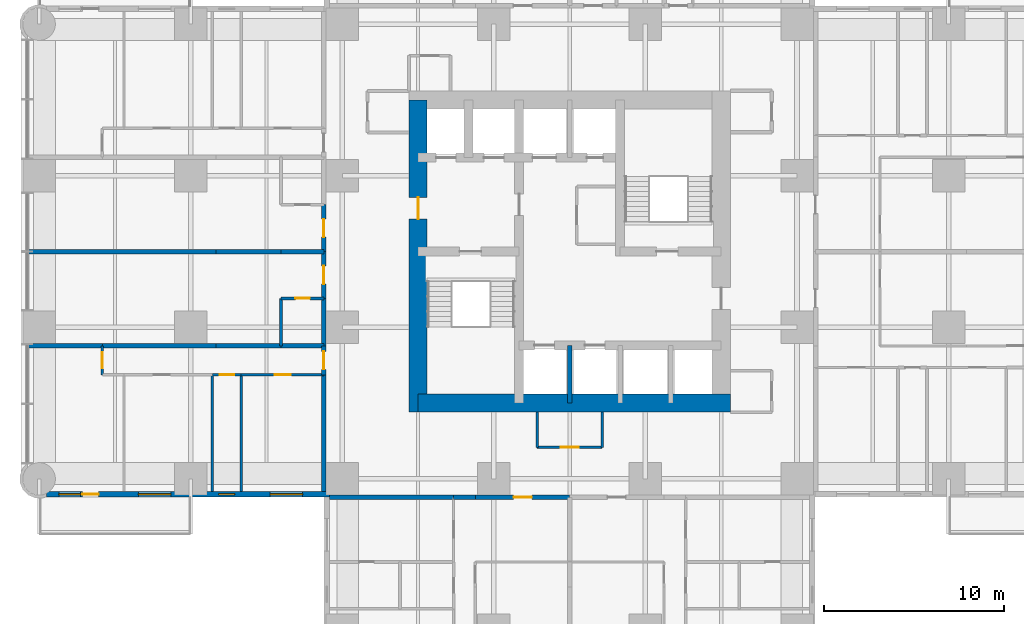
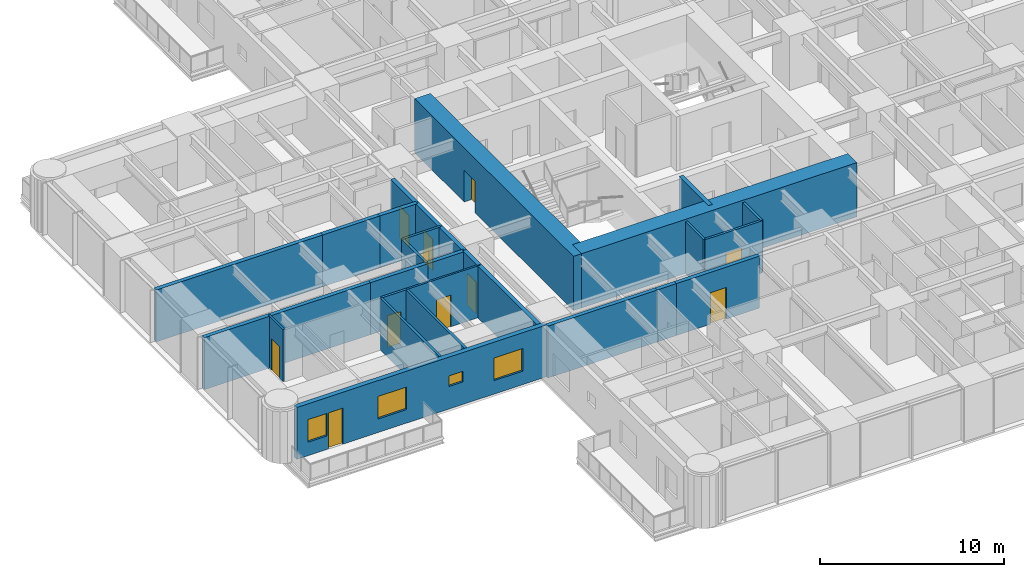
# One storey, part 8 of 17: 29 walls, 11 doors, 4 windows, 15 openings.
"""IFC4 building model written with IfcOpenShell, lengths in metres."""

from ifc_helpers import new_model, si_unit, direction, frame, frame_2d, origin, place, context, subcontext, project, spatial, rectangle, extrude, material, layer, layer_set, type_object, element, fill, save


model = new_model("IFC4")

# Units and contexts
model_context = context("Model", 3, precision=1e-05, world=origin(), true_north=direction((0.0, 1.0)))
body_context = subcontext(model_context, "Body", "Model", "MODEL_VIEW")
ifc_project = project(units=[si_unit("LENGTHUNIT", "METRE"), si_unit("AREAUNIT", "SQUARE_METRE"), si_unit("VOLUMEUNIT", "CUBIC_METRE"), si_unit("PLANEANGLEUNIT", "RADIAN"), si_unit("MASSUNIT", "GRAM", prefix="KILO")], contexts=[model_context])

# Site, building, storey
site_placement = place(None, origin())
site = spatial("IfcSite", under=ifc_project, at=site_placement, CompositionType="ELEMENT")
building_placement = place(site_placement, origin())
building = spatial("IfcBuilding", under=site, at=building_placement, Name="Torre Alcanfor", CompositionType="ELEMENT")
storey_placement = place(building_placement, frame((0.0, 0.0, 70.5)))
storey = spatial("IfcBuildingStorey", under=building, at=storey_placement, Name="L17", CompositionType="ELEMENT", Elevation=70.5)

# Wall, opening, door
ifc_material_1 = material(Name="Concrete block masonry, hollow blocks NMX-C-404 9 MPa", Category="masonry")
ifc_layer_1 = layer(ifc_material_1, 0.25)
ifc_layer_set_1 = layer_set([ifc_layer_1], Name="Apartment entrance wall 250 EI 60")
wall_type_1 = type_object("IfcWallType", Name="Apartment entrance wall 250 EI 60", PredefinedType="PARTITIONING", material=ifc_layer_set_1)
wall_1_placement = place(storey_placement, frame((29.39990234375, 15.77490234375, 0.0), z_axis=(0.0, 0.0, 1.0), x_axis=(-1.0, 0.0, 0.0)))
wall_1 = element("IfcWall", 1, at=wall_1_placement, inside=storey, type_object=wall_type_1, Name="Partition L17-CORR / L17-S2-ZAG", PredefinedType="PARTITIONING", context=body_context, shape_type="SweptSolid", body=[
    extrude(rectangle(XDim=5.22900390625, YDim=0.25, at=frame_2d((2.614501953125, 0.0))), origin(), (0.0, 0.0, 1.0), 3.449951171875),
])
opening_1_placement = place(wall_1_placement, frame((2.10009765625, 0.0, 0.0)))
opening_1 = element("IfcOpeningElement", 2, at=opening_1_placement, cuts=wall_1, Name="Opening D-A1", PredefinedType="OPENING", context=body_context, shape_type="SweptSolid", body=[
    extrude(rectangle(XDim=1.0, YDim=2.10009765625, at=frame_2d((0.5, 1.050048828125))), frame((0.0, 0.135009765625, 0.0), z_axis=(0.0, -1.0, 0.0), x_axis=(1.0, 0.0, 0.0)), (0.0, 0.0, 1.0), 0.27001953125),
])
ifc_material_2 = material(Name="Galvanised steel sheet ASTM A653", Category="steel")
door_type_1 = type_object("IfcDoorType", Name="Apartment entrance door FD60 1000x2100", OperationType="SINGLE_SWING_LEFT", PredefinedType="DOOR", material=ifc_material_2)
door_1_placement = place(opening_1_placement, origin())
door_1 = element("IfcDoor", 3, at=door_1_placement, inside=storey, type_object=door_type_1, Name="Apartment entrance L17-S2", OperationType="SINGLE_SWING_LEFT", OverallHeight=2.10009765625, OverallWidth=1.0, PredefinedType="DOOR", context=body_context, shape_type="SweptSolid", body=[
    extrude(rectangle(XDim=1.0, YDim=2.10009765625, at=frame_2d((0.5, 1.050048828125))), frame((0.0, 0.02490234375, 0.0), z_axis=(0.0, -1.0, 0.0), x_axis=(1.0, 0.0, 0.0)), (0.0, 0.0, 1.0), 0.050048828125),
])
fill(opening_1, door_1)

# Walls
wall_2_placement = place(storey_placement, frame((24.1708984375, 15.77490234375, 0.0), z_axis=(0.0, 0.0, 1.0), x_axis=(-1.0, 0.0, 0.0)))
element("IfcWall", 4, at=wall_2_placement, inside=storey, type_object=wall_type_1, Name="Partition L17-CORR / L17-S2-HALL", PredefinedType="PARTITIONING", context=body_context, shape_type="SweptSolid", body=[
    extrude(rectangle(XDim=1.199951171875, YDim=0.25, at=frame_2d((0.60009765625, 0.0))), origin(), (0.0, 0.0, 1.0), 3.449951171875),
])
wall_3_placement = place(storey_placement, frame((22.970947265625, 15.77490234375, 0.0), z_axis=(0.0, 0.0, 1.0), x_axis=(-1.0, 0.0, 0.0)))
element("IfcWall", 5, at=wall_3_placement, inside=storey, type_object=wall_type_1, Name="Partition L17-CORR / L17-S2-SERV", PredefinedType="PARTITIONING", context=body_context, shape_type="SweptSolid", body=[
    extrude(rectangle(XDim=6.870849609375, YDim=0.25, at=frame_2d((3.435546875, 0.0))), origin(), (0.0, 0.0, 1.0), 3.449951171875),
])

# Wall, opening, door
wall_4_placement = place(storey_placement, frame((15.77490234375, 26.800048828125, 0.0), z_axis=(0.0, 0.0, 1.0), x_axis=(0.0, 1.0, 0.0)))
wall_4 = element("IfcWall", 6, at=wall_4_placement, inside=storey, type_object=wall_type_1, Name="Partition L17-CORR / L17-W1A-FOYER", PredefinedType="PARTITIONING", context=body_context, shape_type="SweptSolid", body=[
    extrude(rectangle(XDim=2.599853515625, YDim=0.25, at=frame_2d((1.2998046875, 0.0))), origin(), (0.0, 0.0, 1.0), 3.449951171875),
])
opening_2_placement = place(wall_4_placement, frame((0.800048828125, 0.0, 0.0)))
opening_2 = element("IfcOpeningElement", 7, at=opening_2_placement, cuts=wall_4, Name="Opening D-A1", PredefinedType="OPENING", context=body_context, shape_type="SweptSolid", body=[
    extrude(rectangle(XDim=1.0, YDim=2.10009765625, at=frame_2d((0.5, 1.050048828125))), frame((0.0, 0.135009765625, 0.0), z_axis=(0.0, -1.0, 0.0), x_axis=(1.0, 0.0, 0.0)), (0.0, 0.0, 1.0), 0.27001953125),
])
door_2_placement = place(opening_2_placement, origin())
door_2 = element("IfcDoor", 8, at=door_2_placement, inside=storey, type_object=door_type_1, Name="Apartment entrance L17-W1A", OperationType="SINGLE_SWING_LEFT", OverallHeight=2.10009765625, OverallWidth=1.0, PredefinedType="DOOR", context=body_context, shape_type="SweptSolid", body=[
    extrude(rectangle(XDim=1.0, YDim=2.10009765625, at=frame_2d((0.5, 1.050048828125))), frame((0.0, 0.02490234375, 0.0), z_axis=(0.0, -1.0, 0.0), x_axis=(1.0, 0.0, 0.0)), (0.0, 0.0, 1.0), 0.050048828125),
])
fill(opening_2, door_2)

# Wall
wall_5_placement = place(storey_placement, frame((15.77490234375, 24.1708984375, 0.0), z_axis=(0.0, 0.0, 1.0), x_axis=(0.0, 1.0, 0.0)))
element("IfcWall", 9, at=wall_5_placement, inside=storey, type_object=wall_type_1, Name="Partition L17-CORR / L17-W1A-BATH", PredefinedType="PARTITIONING", context=body_context, shape_type="SweptSolid", body=[
    extrude(rectangle(XDim=2.629150390625, YDim=0.25, at=frame_2d((1.314453125, 0.0))), origin(), (0.0, 0.0, 1.0), 3.449951171875),
])

# Wall, opening, door
wall_6_placement = place(storey_placement, frame((15.77490234375, 22.571044921875, 0.0), z_axis=(0.0, 0.0, 1.0), x_axis=(0.0, 1.0, 0.0)))
wall_6 = element("IfcWall", 10, at=wall_6_placement, inside=storey, type_object=wall_type_1, Name="Partition L17-CORR / L17-W1B-HALL", PredefinedType="PARTITIONING", context=body_context, shape_type="SweptSolid", body=[
    extrude(rectangle(XDim=1.599853515625, YDim=0.25, at=frame_2d((0.7998046875, 0.0))), origin(), (0.0, 0.0, 1.0), 3.449951171875),
])
opening_3_placement = place(wall_6_placement, frame((0.300048828125, 0.0, 0.0)))
opening_3 = element("IfcOpeningElement", 11, at=opening_3_placement, cuts=wall_6, Name="Opening D-A1", PredefinedType="OPENING", context=body_context, shape_type="SweptSolid", body=[
    extrude(rectangle(XDim=1.0, YDim=2.10009765625, at=frame_2d((0.5, 1.050048828125))), frame((0.0, 0.135009765625, 0.0), z_axis=(0.0, -1.0, 0.0), x_axis=(1.0, 0.0, 0.0)), (0.0, 0.0, 1.0), 0.27001953125),
])
door_3_placement = place(opening_3_placement, origin())
door_3 = element("IfcDoor", 12, at=door_3_placement, inside=storey, type_object=door_type_1, Name="Apartment entrance L17-W1B", OperationType="SINGLE_SWING_LEFT", OverallHeight=2.10009765625, OverallWidth=1.0, PredefinedType="DOOR", context=body_context, shape_type="SweptSolid", body=[
    extrude(rectangle(XDim=1.0, YDim=2.10009765625, at=frame_2d((0.5, 1.050048828125))), frame((0.0, 0.02490234375, 0.0), z_axis=(0.0, -1.0, 0.0), x_axis=(1.0, 0.0, 0.0)), (0.0, 0.0, 1.0), 0.050048828125),
])
fill(opening_3, door_3)

# Wall
wall_7_placement = place(storey_placement, frame((15.77490234375, 16.10009765625, 0.0), z_axis=(0.0, 0.0, 1.0), x_axis=(0.0, 1.0, 0.0)))
element("IfcWall", 13, at=wall_7_placement, inside=storey, type_object=wall_type_1, Name="Partition L17-CORR / L17-W1B-BED2", PredefinedType="PARTITIONING", context=body_context, shape_type="SweptSolid", body=[
    extrude(rectangle(XDim=6.470947265625, YDim=0.25, at=frame_2d((3.2353515625, 0.0))), origin(), (0.0, 0.0, 1.0), 3.449951171875),
])

# Wall, opening, door
wall_8_placement = place(storey_placement, frame((15.77490234375, 29.39990234375, 0.0), z_axis=(0.0, 0.0, 1.0), x_axis=(0.0, 1.0, 0.0)))
wall_8 = element("IfcWall", 14, at=wall_8_placement, inside=storey, type_object=wall_type_1, Name="Partition L17-CORR / L17-W2A-FOYER", PredefinedType="PARTITIONING", context=body_context, shape_type="SweptSolid", body=[
    extrude(rectangle(XDim=2.60009765625, YDim=0.25, at=frame_2d((1.300048828125, 0.0))), origin(), (0.0, 0.0, 1.0), 3.449951171875),
])
opening_4_placement = place(wall_8_placement, frame((0.800048828125, 0.0, 0.0)))
opening_4 = element("IfcOpeningElement", 15, at=opening_4_placement, cuts=wall_8, Name="Opening D-A1", PredefinedType="OPENING", context=body_context, shape_type="SweptSolid", body=[
    extrude(rectangle(XDim=1.0, YDim=2.10009765625, at=frame_2d((0.5, 1.050048828125))), frame((0.0, 0.135009765625, 0.0), z_axis=(0.0, -1.0, 0.0), x_axis=(1.0, 0.0, 0.0)), (0.0, 0.0, 1.0), 0.27001953125),
])
door_4_placement = place(opening_4_placement, origin())
door_4 = element("IfcDoor", 16, at=door_4_placement, inside=storey, type_object=door_type_1, Name="Apartment entrance L17-W2A", OperationType="SINGLE_SWING_LEFT", OverallHeight=2.10009765625, OverallWidth=1.0, PredefinedType="DOOR", context=body_context, shape_type="SweptSolid", body=[
    extrude(rectangle(XDim=1.0, YDim=2.10009765625, at=frame_2d((0.5, 1.050048828125))), frame((0.0, 0.02490234375, 0.0), z_axis=(0.0, -1.0, 0.0), x_axis=(1.0, 0.0, 0.0)), (0.0, 0.0, 1.0), 0.050048828125),
])
fill(opening_4, door_4)

ifc_material_3 = material(Name="Gypsum board on steel studs", Category="steel")
ifc_layer_2 = layer(ifc_material_3, 0.1201171875)
ifc_layer_set_2 = layer_set([ifc_layer_2], Name="Apartment partition 120")
wall_type_2 = type_object("IfcWallType", Name="Apartment partition 120", PredefinedType="PARTITIONING", material=ifc_layer_set_2)
wall_9_placement = place(storey_placement, frame((11.199951171875, 22.571044921875, 0.0), z_axis=(0.0, 0.0, 1.0), x_axis=(1.0, 0.0, 0.0)))
wall_9 = element("IfcWall", 17, at=wall_9_placement, inside=storey, type_object=wall_type_2, Name="Partition L17-W1B-HALL / L17-W1B-BED2", PredefinedType="PARTITIONING", context=body_context, shape_type="SweptSolid", body=[
    extrude(rectangle(XDim=4.574951171875, YDim=0.1201171875, at=frame_2d((2.28759765625, 0.0))), origin(), (0.0, 0.0, 1.0), 3.449951171875),
])
opening_5_placement = place(wall_9_placement, frame((1.85009765625, 0.0, 0.0)))
opening_5 = element("IfcOpeningElement", 18, at=opening_5_placement, cuts=wall_9, Name="Opening D-R1", PredefinedType="OPENING", context=body_context, shape_type="SweptSolid", body=[
    extrude(rectangle(XDim=0.89990234375, YDim=2.10009765625, at=frame_2d((0.449951171875, 1.050048828125))), frame((0.0, 0.070068359375, 0.0), z_axis=(0.0, -1.0, 0.0), x_axis=(1.0, 0.0, 0.0)), (0.0, 0.0, 1.0), 0.14013671875),
])
ifc_material_4 = material(Name="Timber", Category="wood")
door_type_2 = type_object("IfcDoorType", Name="Internal door 900x2100", OperationType="SINGLE_SWING_LEFT", PredefinedType="DOOR", material=ifc_material_4)
door_5_placement = place(opening_5_placement, frame((0.89990234375, 0.0, 0.0), z_axis=(0.0, 0.0, 1.0), x_axis=(-1.0, 0.0, 0.0)))
door_5 = element("IfcDoor", 19, at=door_5_placement, inside=storey, type_object=door_type_2, Name="Door L17-W1B bed2", OperationType="SINGLE_SWING_LEFT", OverallHeight=2.10009765625, OverallWidth=0.89990234375, PredefinedType="DOOR", context=body_context, shape_type="SweptSolid", body=[
    extrude(rectangle(XDim=0.89990234375, YDim=2.10009765625, at=frame_2d((0.449951171875, 1.050048828125))), frame((0.0, 0.025146484375, 0.0), z_axis=(0.0, -1.0, 0.0), x_axis=(1.0, 0.0, 0.0)), (0.0, 0.0, 1.0), 0.050048828125),
])
fill(opening_5, door_5)

wall_10_placement = place(storey_placement, frame((3.5, 24.1708984375, 0.0), z_axis=(0.0, 0.0, 1.0), x_axis=(0.0, -1.0, 0.0)))
wall_10 = element("IfcWall", 20, at=wall_10_placement, inside=storey, type_object=wall_type_2, Name="Partition L17-W1B-HALL / L17-W1B-LIVING", PredefinedType="PARTITIONING", context=body_context, shape_type="SweptSolid", body=[
    extrude(rectangle(XDim=1.599853515625, YDim=0.1201171875, at=frame_2d((0.7998046875, 0.0))), origin(), (0.0, 0.0, 1.0), 3.449951171875),
])
opening_6_placement = place(wall_10_placement, frame((0.35009765625, 0.0, 0.0)))
opening_6 = element("IfcOpeningElement", 21, at=opening_6_placement, cuts=wall_10, Name="Opening D-R1", PredefinedType="OPENING", context=body_context, shape_type="SweptSolid", body=[
    extrude(rectangle(XDim=0.89990234375, YDim=2.10009765625, at=frame_2d((0.449951171875, 1.050048828125))), frame((0.0, 0.070068359375, 0.0), z_axis=(0.0, -1.0, 0.0), x_axis=(1.0, 0.0, 0.0)), (0.0, 0.0, 1.0), 0.14013671875),
])
door_6_placement = place(opening_6_placement, frame((0.89990234375, 0.0, 0.0), z_axis=(0.0, 0.0, 1.0), x_axis=(-1.0, 0.0, 0.0)))
door_6 = element("IfcDoor", 22, at=door_6_placement, inside=storey, type_object=door_type_2, Name="Door L17-W1B living", OperationType="SINGLE_SWING_RIGHT", OverallHeight=2.10009765625, OverallWidth=0.89990234375, PredefinedType="DOOR", context=body_context, shape_type="SweptSolid", body=[
    extrude(rectangle(XDim=0.89990234375, YDim=2.10009765625, at=frame_2d((0.449951171875, 1.050048828125))), frame((0.0, 0.025146484375, 0.0), z_axis=(0.0, -1.0, 0.0), x_axis=(1.0, 0.0, 0.0)), (0.0, 0.0, 1.0), 0.050048828125),
])
fill(opening_6, door_6)

# Walls
ifc_material_5 = material(Name="Concrete f'c 70 MPa", Category="concrete")
ifc_layer_3 = layer(ifc_material_5, 0.25)
ifc_layer_set_3 = layer_set([ifc_layer_3], Name="Core shaft wall 250 f'c70")
wall_type_3 = type_object("IfcWallType", Name="Core shaft wall 250 f'c70", PredefinedType="SHEAR", material=ifc_layer_set_3)
wall_11_placement = place(storey_placement, frame((29.39990234375, 21.0, 0.0), z_axis=(0.0, 0.0, 1.0), x_axis=(0.0, 1.0, 0.0)))
element("IfcWall", 23, at=wall_11_placement, inside=storey, type_object=wall_type_3, Name="Core wall X294S L17", PredefinedType="SHEAR", context=body_context, shape_type="SweptSolid", body=[
    extrude(rectangle(XDim=3.199951171875, YDim=0.25, at=frame_2d((1.60009765625, 0.0))), origin(), (0.0, 0.0, 1.0), 3.60009765625),
])
ifc_material_6 = material(Name="Concrete f'c 70 MPa", Category="concrete")
ifc_layer_4 = layer(ifc_material_6, 1.0)
ifc_layer_set_4 = layer_set([ifc_layer_4], Name="Core wall 1000 f'c70")
wall_type_4 = type_object("IfcWallType", Name="Core wall 1000 f'c70", PredefinedType="SHEAR", material=ifc_layer_set_4)
wall_12_placement = place(storey_placement, frame((21.0, 21.0, 0.0), z_axis=(0.0, 0.0, 1.0), x_axis=(1.0, 0.0, 0.0)))
element("IfcWall", 24, at=wall_12_placement, inside=storey, type_object=wall_type_4, Name="Core wall OUT-S L17", PredefinedType="SHEAR", context=body_context, shape_type="SweptSolid", body=[
    extrude(rectangle(XDim=17.300048828125, YDim=1.0, at=frame_2d((8.64990234375, 0.0))), origin(), (0.0, 0.0, 1.0), 3.60009765625),
])

# Wall, opening, door
wall_13_placement = place(storey_placement, frame((21.0, 37.800048828125, 0.0), z_axis=(0.0, 0.0, 1.0), x_axis=(0.0, -1.0, 0.0)))
wall_13 = element("IfcWall", 25, at=wall_13_placement, inside=storey, type_object=wall_type_4, Name="Core wall OUT-W L17", PredefinedType="SHEAR", context=body_context, shape_type="SweptSolid", body=[
    extrude(rectangle(XDim=17.300048828125, YDim=1.0, at=frame_2d((8.64990234375, 0.0))), origin(), (0.0, 0.0, 1.0), 3.60009765625),
])
opening_7_placement = place(wall_13_placement, frame((5.39990234375, 0.0, 0.0)))
opening_7 = element("IfcOpeningElement", 26, at=opening_7_placement, cuts=wall_13, Name="Opening D-L1", PredefinedType="OPENING", context=body_context, shape_type="SweptSolid", body=[
    extrude(rectangle(XDim=1.199951171875, YDim=2.10009765625, at=frame_2d((0.60009765625, 1.050048828125))), frame((0.0, 0.510009765625, 0.0), z_axis=(0.0, -1.0, 0.0), x_axis=(1.0, 0.0, 0.0)), (0.0, 0.0, 1.0), 1.02001953125),
])
ifc_material_7 = material(Name="Galvanised steel sheet ASTM A653", Category="steel")
door_type_3 = type_object("IfcDoorType", Name="Lobby door FD120 1200x2100", OperationType="SINGLE_SWING_LEFT", PredefinedType="DOOR", material=ifc_material_7)
door_7_placement = place(opening_7_placement, origin())
door_7 = element("IfcDoor", 27, at=door_7_placement, inside=storey, type_object=door_type_3, Name="Firefighting lobby door L17", OperationType="SINGLE_SWING_LEFT", OverallHeight=2.10009765625, OverallWidth=1.199951171875, PredefinedType="DOOR", context=body_context, shape_type="SweptSolid", body=[
    extrude(rectangle(XDim=1.199951171875, YDim=2.10009765625, at=frame_2d((0.60009765625, 1.050048828125))), frame((0.0, 0.02490234375, 0.0), z_axis=(0.0, -1.0, 0.0), x_axis=(1.0, 0.0, 0.0)), (0.0, 0.0, 1.0), 0.050048828125),
])
fill(opening_7, door_7)

# Wall, openings, door, windows
ifc_material_8 = material(Name="Limestone cladding", Category="masonry")
ifc_layer_5 = layer(ifc_material_8, 0.0400390625, Name="Facing")
ifc_material_9 = material(Name="Ventilated air cavity")
ifc_layer_6 = layer(ifc_material_9, 0.02001953125, ventilated=True, Name="Ventilated joint")
ifc_material_10 = material(Name="Mineral wool insulation", Category="insulation")
ifc_layer_7 = layer(ifc_material_10, 0.10009765625, Name="Insulation")
ifc_material_11 = material(Name="Concrete f'c 35 MPa", Category="concrete")
ifc_layer_8 = layer(ifc_material_11, 0.139892578125, Name="Backing")
ifc_layer_set_5 = layer_set([ifc_layer_5, ifc_layer_6, ifc_layer_7, ifc_layer_8], Name="External wall stone-clad 300")
wall_type_5 = type_object("IfcWallType", Name="External wall stone-clad 300", PredefinedType="SOLIDWALL", material=ifc_layer_set_5)
wall_14_placement = place(storey_placement, frame((0.39990234375, 15.949951171875, 0.0), z_axis=(0.0, 0.0, 1.0), x_axis=(1.0, 0.0, 0.0)))
wall_14 = element("IfcWall", 28, at=wall_14_placement, inside=storey, type_object=wall_type_5, Name="External wall L17 3", PredefinedType="SOLIDWALL", context=body_context, shape_type="SweptSolid", body=[
    extrude(rectangle(XDim=15.7001953125, YDim=0.300048828125, at=frame_2d((7.85009765625, 0.0))), origin(), (0.0, 0.0, 1.0), 3.449951171875),
])
opening_8_placement = place(wall_14_placement, frame((12.39990234375, 0.0, 0.89990234375)))
opening_8 = element("IfcOpeningElement", 29, at=opening_8_placement, cuts=wall_14, Name="Opening W2", PredefinedType="OPENING", context=body_context, shape_type="SweptSolid", body=[
    extrude(rectangle(XDim=1.800048828125, YDim=1.5, at=frame_2d((0.89990234375, 0.75))), frame((0.0, 0.159912109375, 0.0), z_axis=(0.0, -1.0, 0.0), x_axis=(1.0, 0.0, 0.0)), (0.0, 0.0, 1.0), 0.320068359375),
])
opening_9_placement = place(wall_14_placement, frame((9.550048828125, 0.0, 1.5)))
opening_9 = element("IfcOpeningElement", 30, at=opening_9_placement, cuts=wall_14, Name="Opening W3", PredefinedType="OPENING", context=body_context, shape_type="SweptSolid", body=[
    extrude(rectangle(XDim=0.89990234375, YDim=0.699951171875, at=frame_2d((0.449951171875, 0.35009765625))), frame((0.0, 0.159912109375, 0.0), z_axis=(0.0, -1.0, 0.0), x_axis=(1.0, 0.0, 0.0)), (0.0, 0.0, 1.0), 0.320068359375),
])
opening_10_placement = place(wall_14_placement, frame((5.10009765625, 0.0, 0.89990234375)))
opening_10 = element("IfcOpeningElement", 31, at=opening_10_placement, cuts=wall_14, Name="Opening W2", PredefinedType="OPENING", context=body_context, shape_type="SweptSolid", body=[
    extrude(rectangle(XDim=1.800048828125, YDim=1.5, at=frame_2d((0.89990234375, 0.75))), frame((0.0, 0.159912109375, 0.0), z_axis=(0.0, -1.0, 0.0), x_axis=(1.0, 0.0, 0.0)), (0.0, 0.0, 1.0), 0.320068359375),
])
opening_11_placement = place(wall_14_placement, frame((2.0, 0.0, 0.0)))
opening_11 = element("IfcOpeningElement", 32, at=opening_11_placement, cuts=wall_14, Name="Opening D-B1", PredefinedType="OPENING", context=body_context, shape_type="SweptSolid", body=[
    extrude(rectangle(XDim=0.89990234375, YDim=2.39990234375, at=frame_2d((0.449951171875, 1.199951171875))), frame((0.0, 0.159912109375, 0.0), z_axis=(0.0, -1.0, 0.0), x_axis=(1.0, 0.0, 0.0)), (0.0, 0.0, 1.0), 0.320068359375),
])
opening_12_placement = place(wall_14_placement, frame((0.699951171875, 0.0, 0.89990234375)))
opening_12 = element("IfcOpeningElement", 33, at=opening_12_placement, cuts=wall_14, Name="Opening W4", PredefinedType="OPENING", context=body_context, shape_type="SweptSolid", body=[
    extrude(rectangle(XDim=1.199951171875, YDim=1.5, at=frame_2d((0.60009765625, 0.75))), frame((0.0, 0.159912109375, 0.0), z_axis=(0.0, -1.0, 0.0), x_axis=(1.0, 0.0, 0.0)), (0.0, 0.0, 1.0), 0.320068359375),
])
ifc_material_12 = material(Name="Aluminium and glass", Category="aluminium")
door_type_4 = type_object("IfcDoorType", Name="Balcony door glazed 900x2400", OperationType="SINGLE_SWING_LEFT", PredefinedType="DOOR", material=ifc_material_12)
door_8_placement = place(opening_11_placement, origin())
door_8 = element("IfcDoor", 34, at=door_8_placement, inside=storey, type_object=door_type_4, Name="Balcony door L17-W1", OperationType="SINGLE_SWING_RIGHT", OverallHeight=2.39990234375, OverallWidth=0.89990234375, PredefinedType="DOOR", context=body_context, shape_type="SweptSolid", body=[
    extrude(rectangle(XDim=0.89990234375, YDim=2.39990234375, at=frame_2d((0.449951171875, 1.199951171875))), frame((0.0, 0.02490234375, 0.0), z_axis=(0.0, -1.0, 0.0), x_axis=(1.0, 0.0, 0.0)), (0.0, 0.0, 1.0), 0.050048828125),
])
fill(opening_11, door_8)
ifc_material_13 = material(Name="Aluminium frame with clear double glazing", Category="aluminium")
window_type_1 = type_object("IfcWindowType", Name="Window bathroom 900x700", PartitioningType="SINGLE_PANEL", PredefinedType="WINDOW", material=ifc_material_13)
window_1_placement = place(opening_9_placement, origin())
window_1 = element("IfcWindow", 35, at=window_1_placement, inside=storey, type_object=window_type_1, Name="Window W3 L17-W1", OverallHeight=0.699951171875, OverallWidth=0.89990234375, PartitioningType="SINGLE_PANEL", PredefinedType="WINDOW", context=body_context, shape_type="SweptSolid", body=[
    extrude(rectangle(XDim=0.89990234375, YDim=0.699951171875, at=frame_2d((0.449951171875, 0.35009765625))), frame((0.0, 0.030029296875, 0.0), z_axis=(0.0, -1.0, 0.0), x_axis=(1.0, 0.0, 0.0)), (0.0, 0.0, 1.0), 0.06005859375),
])
fill(opening_9, window_1)
ifc_material_14 = material(Name="Aluminium frame with clear double glazing", Category="aluminium")
window_type_2 = type_object("IfcWindowType", Name="Window bedroom 1200x1500", PartitioningType="SINGLE_PANEL", PredefinedType="WINDOW", material=ifc_material_14)
window_2_placement = place(opening_12_placement, origin())
window_2 = element("IfcWindow", 36, at=window_2_placement, inside=storey, type_object=window_type_2, Name="Window W4 L17-W1", OverallHeight=1.5, OverallWidth=1.199951171875, PartitioningType="SINGLE_PANEL", PredefinedType="WINDOW", context=body_context, shape_type="SweptSolid", body=[
    extrude(rectangle(XDim=1.199951171875, YDim=1.5, at=frame_2d((0.60009765625, 0.75))), frame((0.0, 0.030029296875, 0.0), z_axis=(0.0, -1.0, 0.0), x_axis=(1.0, 0.0, 0.0)), (0.0, 0.0, 1.0), 0.06005859375),
])
fill(opening_12, window_2)
ifc_material_15 = material(Name="Aluminium frame with clear double glazing", Category="aluminium")
window_type_3 = type_object("IfcWindowType", Name="Window bedroom 1800x1500", PartitioningType="SINGLE_PANEL", PredefinedType="WINDOW", material=ifc_material_15)
window_3_placement = place(opening_8_placement, origin())
window_3 = element("IfcWindow", 37, at=window_3_placement, inside=storey, type_object=window_type_3, Name="Window W2 L17-W1", OverallHeight=1.5, OverallWidth=1.800048828125, PartitioningType="SINGLE_PANEL", PredefinedType="WINDOW", context=body_context, shape_type="SweptSolid", body=[
    extrude(rectangle(XDim=1.800048828125, YDim=1.5, at=frame_2d((0.89990234375, 0.75))), frame((0.0, 0.030029296875, 0.0), z_axis=(0.0, -1.0, 0.0), x_axis=(1.0, 0.0, 0.0)), (0.0, 0.0, 1.0), 0.06005859375),
])
fill(opening_8, window_3)
window_4_placement = place(opening_10_placement, origin())
window_4 = element("IfcWindow", 38, at=window_4_placement, inside=storey, type_object=window_type_3, Name="Window W2 L17-W1", OverallHeight=1.5, OverallWidth=1.800048828125, PartitioningType="SINGLE_PANEL", PredefinedType="WINDOW", context=body_context, shape_type="SweptSolid", body=[
    extrude(rectangle(XDim=1.800048828125, YDim=1.5, at=frame_2d((0.89990234375, 0.75))), frame((0.0, 0.030029296875, 0.0), z_axis=(0.0, -1.0, 0.0), x_axis=(1.0, 0.0, 0.0)), (0.0, 0.0, 1.0), 0.06005859375),
])
fill(opening_10, window_4)

# Walls
ifc_material_16 = material(Name="Concrete block masonry, hollow blocks NMX-C-404 9 MPa", Category="masonry")
ifc_layer_9 = layer(ifc_material_16, 0.25)
ifc_layer_set_6 = layer_set([ifc_layer_9], Name="Party wall 250 EI 60")
wall_type_6 = type_object("IfcWallType", Name="Party wall 250 EI 60", PredefinedType="PARTITIONING", material=ifc_layer_set_6)
for number, where, z_axis, x_axis, name in (
    (39, (15.77490234375, 29.39990234375, 0.0), (0.0, 0.0, 1.0), (-1.0, 0.0, 0.0), "Partition L17-W1A-FOYER / L17-W2A-FOYER"),
    (40, (13.39990234375, 24.1708984375, 0.0), (0.0, 0.0, 1.0), (1.0, 0.0, 0.0), "Partition L17-W1A-BATH / L17-W1B-HALL"),
):
    element("IfcWall", number, at=place(storey_placement, frame(where, z_axis=z_axis, x_axis=x_axis)), inside=storey, type_object=wall_type_6, Name=name, PredefinedType="PARTITIONING", context=body_context, shape_type="SweptSolid", body=[
        extrude(rectangle(XDim=2.375, YDim=0.25, at=frame_2d((1.1875, 0.0))), origin(), (0.0, 0.0, 1.0), 3.449951171875),
    ])
for number, where, z_axis, x_axis, name in (
    (41, (9.800048828125, 24.1708984375, 0.0), (0.0, 0.0, 1.0), (1.0, 0.0, 0.0), "Partition L17-W1A-KITCHEN / L17-W1B-HALL"),
    (42, (13.39990234375, 29.39990234375, 0.0), (0.0, 0.0, 1.0), (-1.0, 0.0, 0.0), "Partition L17-W1A-KITCHEN / L17-W2A-KITCHEN"),
):
    element("IfcWall", number, at=place(storey_placement, frame(where, z_axis=z_axis, x_axis=x_axis)), inside=storey, type_object=wall_type_6, Name=name, PredefinedType="PARTITIONING", context=body_context, shape_type="SweptSolid", body=[
        extrude(rectangle(XDim=3.599853515625, YDim=0.25, at=frame_2d((1.7998046875, 0.0))), origin(), (0.0, 0.0, 1.0), 3.449951171875),
    ])
wall_15_placement = place(storey_placement, frame((3.5, 24.1708984375, 0.0), z_axis=(0.0, 0.0, 1.0), x_axis=(1.0, 0.0, 0.0)))
element("IfcWall", 43, at=wall_15_placement, inside=storey, type_object=wall_type_6, Name="Partition L17-W1A-STUDIO / L17-W1B-HALL", PredefinedType="PARTITIONING", context=body_context, shape_type="SweptSolid", body=[
    extrude(rectangle(XDim=6.300048828125, YDim=0.25, at=frame_2d((3.14990234375, 0.0))), origin(), (0.0, 0.0, 1.0), 3.449951171875),
])
wall_16_placement = place(storey_placement, frame((-0.64990234375, 24.1708984375, 0.0), z_axis=(0.0, 0.0, 1.0), x_axis=(1.0, 0.0, 0.0)))
element("IfcWall", 44, at=wall_16_placement, inside=storey, type_object=wall_type_6, Name="Partition L17-W1A-STUDIO / L17-W1B-LIVING", PredefinedType="PARTITIONING", context=body_context, shape_type="SweptSolid", body=[
    extrude(rectangle(XDim=4.14990234375, YDim=0.25, at=frame_2d((2.074951171875, 0.0))), origin(), (0.0, 0.0, 1.0), 3.449951171875),
])
wall_17_placement = place(storey_placement, frame((9.800048828125, 29.39990234375, 0.0), z_axis=(0.0, 0.0, 1.0), x_axis=(-1.0, 0.0, 0.0)))
element("IfcWall", 45, at=wall_17_placement, inside=storey, type_object=wall_type_6, Name="Partition L17-W1A-STUDIO / L17-W2A-STUDIO", PredefinedType="PARTITIONING", context=body_context, shape_type="SweptSolid", body=[
    extrude(rectangle(XDim=10.449951171875, YDim=0.25, at=frame_2d((5.22509765625, 0.0))), origin(), (0.0, 0.0, 1.0), 3.449951171875),
])
ifc_material_17 = material(Name="Concrete block masonry, hollow blocks NMX-C-404 9 MPa", Category="masonry")
ifc_layer_10 = layer(ifc_material_17, 0.14990234375)
ifc_layer_set_7 = layer_set([ifc_layer_10], Name="Residents' room partition 150")
wall_type_7 = type_object("IfcWallType", Name="Residents' room partition 150", PredefinedType="PARTITIONING", material=ifc_layer_set_7)
wall_18_placement = place(storey_placement, frame((27.60009765625, 20.5, 0.0), z_axis=(0.0, 0.0, 1.0), x_axis=(0.0, -1.0, 0.0)))
element("IfcWall", 46, at=wall_18_placement, inside=storey, type_object=wall_type_7, Name="Partition L17-CORR / L17-G04", PredefinedType="PARTITIONING", context=body_context, shape_type="SweptSolid", body=[
    extrude(rectangle(XDim=1.949951171875, YDim=0.14990234375, at=frame_2d((0.97509765625, 0.0))), origin(), (0.0, 0.0, 1.0), 3.449951171875),
])

# Wall, opening, door
wall_19_placement = place(storey_placement, frame((27.60009765625, 18.550048828125, 0.0), z_axis=(0.0, 0.0, 1.0), x_axis=(1.0, 0.0, 0.0)))
wall_19 = element("IfcWall", 47, at=wall_19_placement, inside=storey, type_object=wall_type_7, Name="Partition L17-CORR / L17-G04", PredefinedType="PARTITIONING", context=body_context, shape_type="SweptSolid", body=[
    extrude(rectangle(XDim=3.599853515625, YDim=0.14990234375, at=frame_2d((1.7998046875, 0.0))), origin(), (0.0, 0.0, 1.0), 3.449951171875),
])
opening_13_placement = place(wall_19_placement, frame((1.300048828125, 0.0, 0.0)))
opening_13 = element("IfcOpeningElement", 48, at=opening_13_placement, cuts=wall_19, Name="Opening D-M1", PredefinedType="OPENING", context=body_context, shape_type="SweptSolid", body=[
    extrude(rectangle(XDim=1.0, YDim=2.10009765625, at=frame_2d((0.5, 1.050048828125))), frame((0.0, 0.0849609375, 0.0), z_axis=(0.0, -1.0, 0.0), x_axis=(1.0, 0.0, 0.0)), (0.0, 0.0, 1.0), 0.169921875),
])
ifc_material_18 = material(Name="Timber", Category="wood")
door_type_5 = type_object("IfcDoorType", Name="Residents' room door 1000x2100", OperationType="SINGLE_SWING_LEFT", PredefinedType="DOOR", material=ifc_material_18)
door_9_placement = place(opening_13_placement, origin())
door_9 = element("IfcDoor", 49, at=door_9_placement, inside=storey, type_object=door_type_5, Name="Door L17-G04 parcel room", OperationType="SINGLE_SWING_LEFT", OverallHeight=2.10009765625, OverallWidth=1.0, PredefinedType="DOOR", context=body_context, shape_type="SweptSolid", body=[
    extrude(rectangle(XDim=1.0, YDim=2.10009765625, at=frame_2d((0.5, 1.050048828125))), frame((0.0, 0.02490234375, 0.0), z_axis=(0.0, -1.0, 0.0), x_axis=(1.0, 0.0, 0.0)), (0.0, 0.0, 1.0), 0.050048828125),
])
fill(opening_13, door_9)

# Wall
wall_20_placement = place(storey_placement, frame((31.199951171875, 18.550048828125, 0.0), z_axis=(0.0, 0.0, 1.0), x_axis=(0.0, 1.0, 0.0)))
element("IfcWall", 50, at=wall_20_placement, inside=storey, type_object=wall_type_7, Name="Partition L17-CORR / L17-G04", PredefinedType="PARTITIONING", context=body_context, shape_type="SweptSolid", body=[
    extrude(rectangle(XDim=1.949951171875, YDim=0.14990234375, at=frame_2d((0.97509765625, 0.0))), origin(), (0.0, 0.0, 1.0), 3.449951171875),
])

# Wall, opening, door
ifc_material_19 = material(Name="Cement board on steel studs", Category="steel")
ifc_layer_11 = layer(ifc_material_19, 0.14990234375)
ifc_layer_set_8 = layer_set([ifc_layer_11], Name="Wet area partition 150")
wall_type_8 = type_object("IfcWallType", Name="Wet area partition 150", PredefinedType="PARTITIONING", material=ifc_layer_set_8)
wall_21_placement = place(storey_placement, frame((13.39990234375, 26.800048828125, 0.0), z_axis=(0.0, 0.0, 1.0), x_axis=(1.0, 0.0, 0.0)))
wall_21 = element("IfcWall", 51, at=wall_21_placement, inside=storey, type_object=wall_type_8, Name="Partition L17-W1A-FOYER / L17-W1A-BATH", PredefinedType="PARTITIONING", context=body_context, shape_type="SweptSolid", body=[
    extrude(rectangle(XDim=2.375, YDim=0.14990234375, at=frame_2d((1.1875, 0.0))), origin(), (0.0, 0.0, 1.0), 3.449951171875),
])
opening_14_placement = place(wall_21_placement, frame((0.800048828125, 0.0, 0.0)))
opening_14 = element("IfcOpeningElement", 52, at=opening_14_placement, cuts=wall_21, Name="Opening D-R2", PredefinedType="OPENING", context=body_context, shape_type="SweptSolid", body=[
    extrude(rectangle(XDim=0.800048828125, YDim=2.10009765625, at=frame_2d((0.39990234375, 1.050048828125))), frame((0.0, 0.0849609375, 0.0), z_axis=(0.0, -1.0, 0.0), x_axis=(1.0, 0.0, 0.0)), (0.0, 0.0, 1.0), 0.169921875),
])
ifc_material_20 = material(Name="Timber", Category="wood")
door_type_6 = type_object("IfcDoorType", Name="Bathroom door 800x2100", OperationType="SINGLE_SWING_LEFT", PredefinedType="DOOR", material=ifc_material_20)
door_10_placement = place(opening_14_placement, frame((0.800048828125, 0.0, 0.0), z_axis=(0.0, 0.0, 1.0), x_axis=(-1.0, 0.0, 0.0)))
door_10 = element("IfcDoor", 53, at=door_10_placement, inside=storey, type_object=door_type_6, Name="Door L17-W1A bath", OperationType="SINGLE_SWING_LEFT", OverallHeight=2.10009765625, OverallWidth=0.800048828125, PredefinedType="DOOR", context=body_context, shape_type="SweptSolid", body=[
    extrude(rectangle(XDim=0.800048828125, YDim=2.10009765625, at=frame_2d((0.400146484375, 1.050048828125))), frame((0.0, 0.025146484375, 0.0), z_axis=(0.0, -1.0, 0.0), x_axis=(1.0, 0.0, 0.0)), (0.0, 0.0, 1.0), 0.050048828125),
])
fill(opening_14, door_10)

# Wall
wall_22_placement = place(storey_placement, frame((13.39990234375, 26.800048828125, 0.0), z_axis=(0.0, 0.0, 1.0), x_axis=(0.0, -1.0, 0.0)))
element("IfcWall", 54, at=wall_22_placement, inside=storey, type_object=wall_type_8, Name="Partition L17-W1A-BATH / L17-W1A-KITCHEN", PredefinedType="PARTITIONING", context=body_context, shape_type="SweptSolid", body=[
    extrude(rectangle(XDim=2.629150390625, YDim=0.14990234375, at=frame_2d((1.314453125, 0.0))), origin(), (0.0, 0.0, 1.0), 3.449951171875),
])

# Wall, opening, door
wall_23_placement = place(storey_placement, frame((9.60009765625, 22.571044921875, 0.0), z_axis=(0.0, 0.0, 1.0), x_axis=(1.0, 0.0, 0.0)))
wall_23 = element("IfcWall", 55, at=wall_23_placement, inside=storey, type_object=wall_type_8, Name="Partition L17-W1B-HALL / L17-W1B-BATH", PredefinedType="PARTITIONING", context=body_context, shape_type="SweptSolid", body=[
    extrude(rectangle(XDim=1.599853515625, YDim=0.14990234375, at=frame_2d((0.7998046875, 0.0))), origin(), (0.0, 0.0, 1.0), 3.449951171875),
])
opening_15_placement = place(wall_23_placement, frame((0.39990234375, 0.0, 0.0)))
opening_15 = element("IfcOpeningElement", 56, at=opening_15_placement, cuts=wall_23, Name="Opening D-R2", PredefinedType="OPENING", context=body_context, shape_type="SweptSolid", body=[
    extrude(rectangle(XDim=0.800048828125, YDim=2.10009765625, at=frame_2d((0.39990234375, 1.050048828125))), frame((0.0, 0.0849609375, 0.0), z_axis=(0.0, -1.0, 0.0), x_axis=(1.0, 0.0, 0.0)), (0.0, 0.0, 1.0), 0.169921875),
])
door_11_placement = place(opening_15_placement, frame((0.800048828125, 0.0, 0.0), z_axis=(0.0, 0.0, 1.0), x_axis=(-1.0, 0.0, 0.0)))
door_11 = element("IfcDoor", 57, at=door_11_placement, inside=storey, type_object=door_type_6, Name="Door L17-W1B bath", OperationType="SINGLE_SWING_RIGHT", OverallHeight=2.10009765625, OverallWidth=0.800048828125, PredefinedType="DOOR", context=body_context, shape_type="SweptSolid", body=[
    extrude(rectangle(XDim=0.800048828125, YDim=2.10009765625, at=frame_2d((0.400146484375, 1.050048828125))), frame((0.0, 0.025146484375, 0.0), z_axis=(0.0, -1.0, 0.0), x_axis=(1.0, 0.0, 0.0)), (0.0, 0.0, 1.0), 0.050048828125),
])
fill(opening_15, door_11)

# Walls
for number, where, z_axis, x_axis, name in (
    (58, (11.199951171875, 22.571044921875, 0.0), (0.0, 0.0, 1.0), (0.0, -1.0, 0.0), "Partition L17-W1B-BED2 / L17-W1B-BATH"),
    (59, (9.60009765625, 22.571044921875, 0.0), (0.0, 0.0, 1.0), (0.0, -1.0, 0.0), "Partition L17-W1B-BATH / L17-W1B-MASTER"),
):
    element("IfcWall", number, at=place(storey_placement, frame(where, z_axis=z_axis, x_axis=x_axis)), inside=storey, type_object=wall_type_8, Name=name, PredefinedType="PARTITIONING", context=body_context, shape_type="SweptSolid", body=[
        extrude(rectangle(XDim=6.470947265625, YDim=0.14990234375, at=frame_2d((3.2353515625, 0.0))), origin(), (0.0, 0.0, 1.0), 3.449951171875),
    ])

save(model, "model.ifc")
